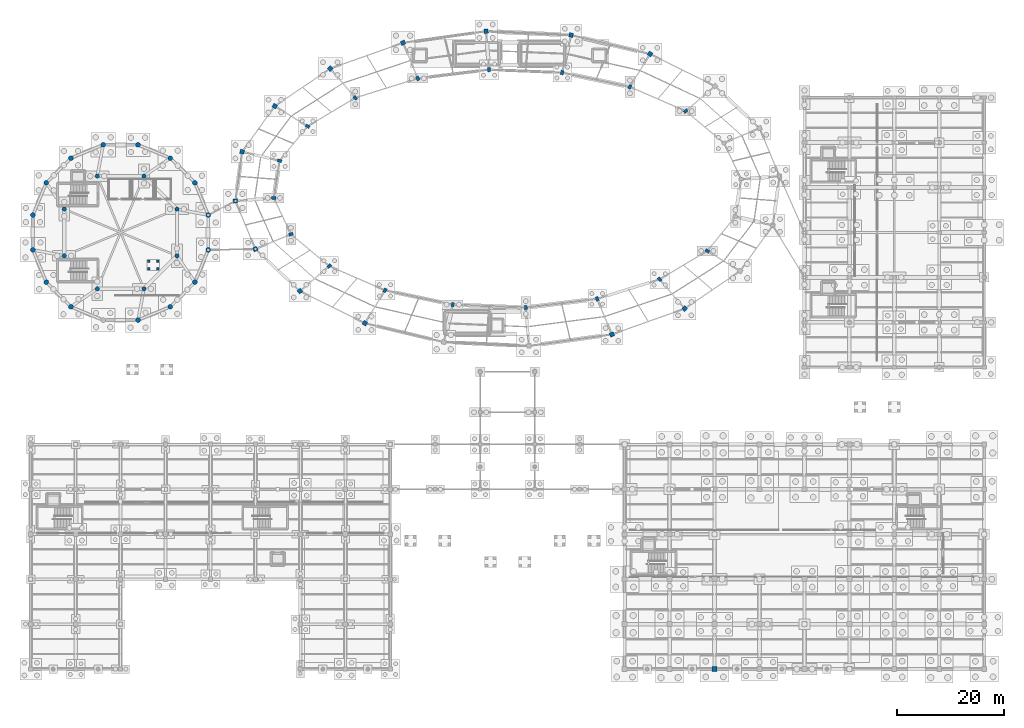
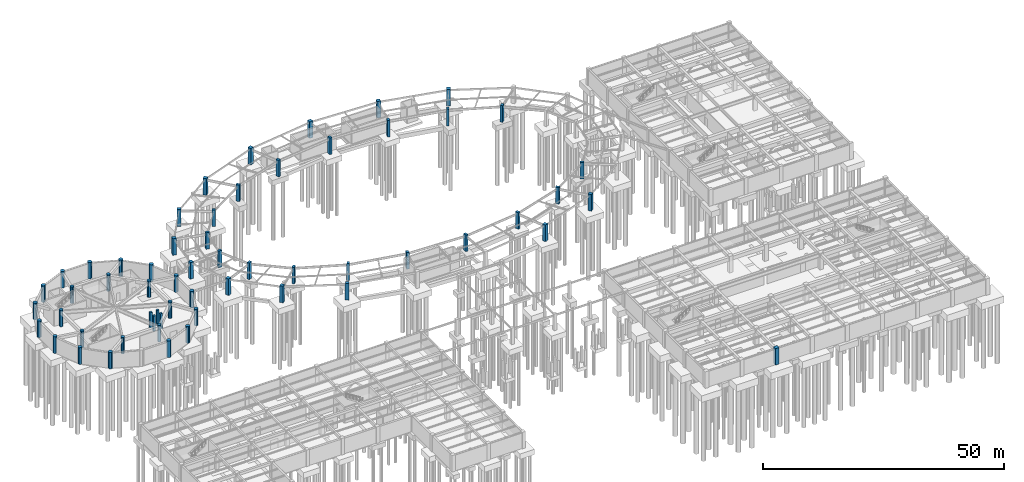
# One storey, part 13 of 38: 58 columns.
"""IFC4 building model written with IfcOpenShell, lengths in metres."""

from ifc_helpers import new_model, si_unit, direction, frame, origin, origin_2d, place, context, subcontext, project, spatial, rectangle, circle, extrude, material, material_profile, profile_set, type_object, element, save


model = new_model("IFC4")

# Units and contexts
model_context = context("Model", 3, precision=1e-05, world=origin(), true_north=direction((0.0, 1.0)))
body_context = subcontext(model_context, "Body", "Model", "MODEL_VIEW")
ifc_project = project(units=[si_unit("LENGTHUNIT", "METRE"), si_unit("AREAUNIT", "SQUARE_METRE"), si_unit("VOLUMEUNIT", "CUBIC_METRE"), si_unit("PLANEANGLEUNIT", "RADIAN"), si_unit("MASSUNIT", "GRAM", prefix="KILO"), si_unit("THERMODYNAMICTEMPERATUREUNIT", "KELVIN"), si_unit("POWERUNIT", "WATT")], contexts=[model_context])

# Site, building, storey
site_placement = place(None, origin())
site = spatial("IfcSite", under=ifc_project, at=site_placement, CompositionType="ELEMENT")
building_placement = place(site_placement, origin())
building = spatial("IfcBuilding", under=site, at=building_placement, Name="Darbajah Civic Hall", CompositionType="ELEMENT")
storey_placement = place(building_placement, frame((0.0, 0.0, -4.199951171875)))
storey = spatial("IfcBuildingStorey", under=building, at=storey_placement, Name="B01", CompositionType="ELEMENT", Elevation=-4.199951171875)

# Columns
ifc_material_1 = material(Name="Concrete C45/55", Category="concrete")
ifc_material_profile_1 = material_profile(ifc_material_1, rectangle(XDim=0.5, YDim=0.5, at=origin_2d()), Name="RC COL 500x500")
ifc_profile_set_1 = profile_set([ifc_material_profile_1], Name="Concrete C45/55")
column_type_1 = type_object("IfcColumnType", Name="RC COL 500x500", PredefinedType="COLUMN", material=ifc_profile_set_1)
for number, where, z_axis, x_axis, name in (
    (1, (22.070068359375, 74.800048828125, 0.0), (0.0, 0.0, 1.0), (1.0, 0.0, 0.0), "B01 dais TOP pier 1"),
    (2, (23.719970703125, 74.800048828125, 0.0), (0.0, 0.0, 1.0), (1.0, 0.0, 0.0), "B01 dais TOP pier 2"),
    (3, (22.070068359375, 76.199951171875, 0.0), (0.0, 0.0, 1.0), (1.0, 0.0, 0.0), "B01 dais TOP pier 3"),
    (4, (23.719970703125, 76.199951171875, 0.0), (0.0, 0.0, 1.0), (1.0, 0.0, 0.0), "B01 dais TOP pier 4"),
):
    element("IfcColumn", number, at=place(storey_placement, frame(where, z_axis=z_axis, x_axis=x_axis)), inside=storey, type_object=column_type_1, Name=name, PredefinedType="COLUMN", context=body_context, shape_type="SweptSolid", body=[
        extrude(rectangle(XDim=0.5, YDim=0.5, at=origin_2d()), origin(), (0.0, 0.0, 1.0), 3.8798828125),
    ])
ifc_material_profile_2 = material_profile(ifc_material_1, rectangle(XDim=0.800048828125, YDim=0.550048828125, at=origin_2d()), Name="RC COL 800x550")
ifc_profile_set_2 = profile_set([ifc_material_profile_2], Name="Concrete C45/55")
column_type_2 = type_object("IfcColumnType", Name="RC COL 800x550", PredefinedType="COLUMN", material=ifc_profile_set_2)
for number, where, z_axis, x_axis, name in (
    (5, (122.40576171875, 104.28271484375, 0.0), (0.0, 0.0, 1.0), (0.7604059656, 0.64944804833, 0.0), "B01 column C-RC805"),
    (6, (111.9853515625, 108.81396484375, 0.0), (0.0, 0.0, 1.0), (0.522498564716, 0.852640164354, 0.0), "B01 column C-RC805"),
    (7, (99.324951171875, 111.48388671875, 0.0), (0.0, 0.0, 1.0), (0.233445363856, 0.972369920398, 0.0), "B01 column C-RC805"),
    (8, (85.66357421875, 112.03125, 0.0), (0.0, 0.0, 1.0), (-0.078459095728, 0.996917333733, 0.0), "B01 column C-RC805"),
    (9, (72.33837890625, 110.402587890625, 0.0), (0.0, 0.0, 1.0), (-0.382683432365, 0.923879532511, 0.0), "B01 column C-RC805"),
    (10, (60.654296875, 106.757080078125, 0.0), (0.0, 0.0, 1.0), (-0.64944804833, 0.7604059656, 0.0), "B01 column C-RC805"),
    (11, (51.75439453125, 101.45166015625, 0.0), (0.0, 0.0, 1.0), (-0.852640164354, 0.522498564716, 0.0), "B01 column C-RC805"),
    (12, (46.51025390625, 95.005859375, 0.0), (0.0, 0.0, 1.0), (-0.972369920398, 0.233445363856, 0.0), "B01 column C-RC805"),
    (13, (45.43505859375, 88.05029296875, 0.0), (0.0, 0.0, 1.0), (-0.996917333733, -0.078459095728, 0.0), "B01 column C-RC805"),
    (14, (48.634033203125, 81.26611328125, 0.0), (0.0, 0.0, 1.0), (-0.923879532511, -0.382683432365, 0.0), "B01 column C-RC805"),
    (15, (55.794189453125, 75.3173828125, 0.0), (0.0, 0.0, 1.0), (-0.7604059656, -0.64944804833, 0.0), "B01 column C-RC805"),
    (16, (66.214599609375, 70.7861328125, 0.0), (0.0, 0.0, 1.0), (-0.522498564716, -0.852640164354, 0.0), "B01 column C-RC805"),
    (17, (78.875, 68.1162109375, 0.0), (0.0, 0.0, 1.0), (-0.233445363856, -0.972369920398, 0.0), "B01 column C-RC805"),
    (18, (92.53662109375, 67.568603515625, 0.0), (0.0, 0.0, 1.0), (0.078459095728, -0.996917333733, 0.0), "B01 column C-RC805"),
    (19, (105.861572265625, 69.197509765625, 0.0), (0.0, 0.0, 1.0), (0.382683432365, -0.923879532511, 0.0), "B01 column C-RC805"),
    (20, (117.5458984375, 72.843017578125, 0.0), (0.0, 0.0, 1.0), (0.64944804833, -0.7604059656, 0.0), "B01 column C-RC805"),
    (21, (126.445556640625, 78.148193359375, 0.0), (0.0, 0.0, 1.0), (0.852640164354, -0.522498564716, 0.0), "B01 column C-RC805"),
):
    element("IfcColumn", number, at=place(storey_placement, frame(where, z_axis=z_axis, x_axis=x_axis)), inside=storey, type_object=column_type_2, Name=name, PredefinedType="COLUMN", context=body_context, shape_type="SweptSolid", body=[
        extrude(rectangle(XDim=0.800048828125, YDim=0.550048828125, at=origin_2d()), origin(), (0.0, 0.0, 1.0), 4.199951171875),
    ])
ifc_material_2 = material(Name="Concrete C50/60", Category="concrete")
ifc_material_profile_3 = material_profile(ifc_material_2, rectangle(XDim=0.800048828125, YDim=0.800048828125, at=origin_2d()), Name="RC COL 800x800")
ifc_profile_set_3 = profile_set([ifc_material_profile_3], Name="Concrete C50/60")
column_type_3 = type_object("IfcColumnType", Name="RC COL 800x800", PredefinedType="COLUMN", material=ifc_profile_set_3)
for number, where, z_axis, x_axis, name in (
    (22, (115.747314453125, 114.952880859375, 0.0), (0.0, 0.0, 1.0), (0.522498564716, 0.852640164354, 0.0), "B01 column C-RC800"),
    (23, (101.005615234375, 118.48486328125, 0.0), (0.0, 0.0, 1.0), (0.233445363856, 0.972369920398, 0.0), "B01 column C-RC800"),
    (24, (85.0986328125, 119.208984375, 0.0), (0.0, 0.0, 1.0), (-0.078459095728, 0.996917333733, 0.0), "B01 column C-RC800"),
    (25, (69.5830078125, 117.054443359375, 0.0), (0.0, 0.0, 1.0), (-0.382683432365, 0.923879532511, 0.0), "B01 column C-RC800"),
    (26, (55.97802734375, 112.23193359375, 0.0), (0.0, 0.0, 1.0), (-0.64944804833, 0.7604059656, 0.0), "B01 column C-RC800"),
    (27, (45.615478515625, 105.213623046875, 0.0), (0.0, 0.0, 1.0), (-0.852640164354, 0.522498564716, 0.0), "B01 column C-RC800"),
    (28, (39.509033203125, 96.6865234375, 0.0), (0.0, 0.0, 1.0), (-0.972369920398, 0.233445363856, 0.0), "B01 column C-RC800"),
    (29, (38.257080078125, 87.485595703125, 0.0), (0.0, 0.0, 1.0), (-0.996917333733, -0.078459095728, 0.0), "B01 column C-RC800"),
    (30, (41.982177734375, 78.5107421875, 0.0), (0.0, 0.0, 1.0), (-0.923879532511, -0.382683432365, 0.0), "B01 column C-RC800"),
    (31, (50.3193359375, 70.641357421875, 0.0), (0.0, 0.0, 1.0), (-0.7604059656, -0.64944804833, 0.0), "B01 column C-RC800"),
    (32, (62.45263671875, 64.647216796875, 0.0), (0.0, 0.0, 1.0), (-0.522498564716, -0.852640164354, 0.0), "B01 column C-RC800"),
    (33, (108.616943359375, 62.545654296875, 0.0), (0.0, 0.0, 1.0), (0.382683432365, -0.923879532511, 0.0), "B01 column C-RC800"),
    (34, (122.221923828125, 67.367919921875, 0.0), (0.0, 0.0, 1.0), (0.64944804833, -0.7604059656, 0.0), "B01 column C-RC800"),
):
    element("IfcColumn", number, at=place(storey_placement, frame(where, z_axis=z_axis, x_axis=x_axis)), inside=storey, type_object=column_type_3, Name=name, PredefinedType="COLUMN", context=body_context, shape_type="SweptSolid", body=[
        extrude(rectangle(XDim=0.800048828125, YDim=0.800048828125, at=origin_2d()), origin(), (0.0, 0.0, 1.0), 4.199951171875),
    ])
ifc_material_profile_4 = material_profile(ifc_material_2, rectangle(XDim=0.89990234375, YDim=0.89990234375, at=origin_2d()), Name="RC COL 900x900")
ifc_profile_set_4 = profile_set([ifc_material_profile_4], Name="Concrete C50/60")
column_type_4 = type_object("IfcColumnType", Name="RC COL 900x900", PredefinedType="COLUMN", material=ifc_profile_set_4)
column_placement = place(storey_placement, frame((127.800048828125, 0.0, 0.0), z_axis=(0.0, 0.0, 1.0), x_axis=(1.0, 0.0, 0.0)))
element("IfcColumn", 35, at=column_placement, inside=storey, type_object=column_type_4, Name="B01 column C-RC900", PredefinedType="COLUMN", context=body_context, shape_type="SweptSolid", body=[
    extrude(rectangle(XDim=0.89990234375, YDim=0.89990234375, at=origin_2d()), origin(), (0.0, 0.0, 1.0), 4.199951171875),
])
ifc_material_profile_5 = material_profile(ifc_material_2, circle(Radius=0.39990234375, at=origin_2d()), Name="RC COL D800")
ifc_profile_set_5 = profile_set([ifc_material_profile_5], Name="Concrete C50/60")
column_type_5 = type_object("IfcColumnType", Name="RC COL D800", PredefinedType="COLUMN", material=ifc_profile_set_5)
for number, where, z_axis, x_axis, name in (
    (36, (27.332275390625, 85.962646484375, 0.0), (0.0, 0.0, 1.0), (1.0, 0.0, 0.0), "B01 column C-RCD800"),
    (37, (21.16259765625, 92.132080078125, 0.0), (0.0, 0.0, 1.0), (1.0, 0.0, 0.0), "B01 column C-RCD800"),
    (38, (12.4375, 92.132080078125, 0.0), (0.0, 0.0, 1.0), (1.0, 0.0, 0.0), "B01 column C-RCD800"),
    (39, (6.267822265625, 85.962646484375, 0.0), (0.0, 0.0, 1.0), (1.0, 0.0, 0.0), "B01 column C-RCD800"),
    (40, (6.267822265625, 77.2373046875, 0.0), (0.0, 0.0, 1.0), (1.0, 0.0, 0.0), "B01 column C-RCD800"),
    (41, (12.4375, 71.06787109375, 0.0), (0.0, 0.0, 1.0), (1.0, 0.0, 0.0), "B01 column C-RCD800"),
    (42, (21.16259765625, 71.06787109375, 0.0), (0.0, 0.0, 1.0), (1.0, 0.0, 0.0), "B01 column C-RCD800"),
    (43, (27.332275390625, 77.2373046875, 0.0), (0.0, 0.0, 1.0), (1.0, 0.0, 0.0), "B01 column C-RCD800"),
):
    element("IfcColumn", number, at=place(storey_placement, frame(where, z_axis=z_axis, x_axis=x_axis)), inside=storey, type_object=column_type_5, Name=name, PredefinedType="COLUMN", context=body_context, shape_type="SweptSolid", body=[
        extrude(circle(Radius=0.39990234375, at=origin_2d()), origin(), (0.0, 0.0, 1.0), 4.199951171875),
    ])
ifc_material_profile_6 = material_profile(ifc_material_2, circle(Radius=0.449951171875, at=origin_2d()), Name="RC COL D900")
ifc_profile_set_6 = profile_set([ifc_material_profile_6], Name="Concrete C50/60")
column_type_6 = type_object("IfcColumnType", Name="RC COL D900", PredefinedType="COLUMN", material=ifc_profile_set_6)
for number, where, z_axis, x_axis, name in (
    (44, (33.179931640625, 84.858154296875, 0.0), (0.0, 0.0, 1.0), (1.0, 0.0, 0.0), "B01 column C-RCD900"),
    (45, (30.686279296875, 90.87841796875, 0.0), (0.0, 0.0, 1.0), (1.0, 0.0, 0.0), "B01 column C-RCD900"),
    (46, (26.07861328125, 95.486328125, 0.0), (0.0, 0.0, 1.0), (1.0, 0.0, 0.0), "B01 column C-RCD900"),
    (47, (20.05810546875, 97.97998046875, 0.0), (0.0, 0.0, 1.0), (1.0, 0.0, 0.0), "B01 column C-RCD900"),
    (48, (13.541748046875, 97.97998046875, 0.0), (0.0, 0.0, 1.0), (1.0, 0.0, 0.0), "B01 column C-RCD900"),
    (49, (7.521484375, 95.486328125, 0.0), (0.0, 0.0, 1.0), (1.0, 0.0, 0.0), "B01 column C-RCD900"),
    (50, (2.913818359375, 90.87841796875, 0.0), (0.0, 0.0, 1.0), (1.0, 0.0, 0.0), "B01 column C-RCD900"),
    (51, (0.419921875, 84.858154296875, 0.0), (0.0, 0.0, 1.0), (1.0, 0.0, 0.0), "B01 column C-RCD900"),
    (52, (0.419921875, 78.341796875, 0.0), (0.0, 0.0, 1.0), (1.0, 0.0, 0.0), "B01 column C-RCD900"),
    (53, (2.913818359375, 72.321533203125, 0.0), (0.0, 0.0, 1.0), (1.0, 0.0, 0.0), "B01 column C-RCD900"),
    (54, (7.521484375, 67.713623046875, 0.0), (0.0, 0.0, 1.0), (1.0, 0.0, 0.0), "B01 column C-RCD900"),
    (55, (20.05810546875, 65.219970703125, 0.0), (0.0, 0.0, 1.0), (1.0, 0.0, 0.0), "B01 column C-RCD900"),
    (56, (26.07861328125, 67.713623046875, 0.0), (0.0, 0.0, 1.0), (1.0, 0.0, 0.0), "B01 column C-RCD900"),
    (57, (30.686279296875, 72.321533203125, 0.0), (0.0, 0.0, 1.0), (1.0, 0.0, 0.0), "B01 column C-RCD900"),
    (58, (33.179931640625, 78.341796875, 0.0), (0.0, 0.0, 1.0), (1.0, 0.0, 0.0), "B01 column C-RCD900"),
):
    element("IfcColumn", number, at=place(storey_placement, frame(where, z_axis=z_axis, x_axis=x_axis)), inside=storey, type_object=column_type_6, Name=name, PredefinedType="COLUMN", context=body_context, shape_type="SweptSolid", body=[
        extrude(circle(Radius=0.449951171875, at=origin_2d()), origin(), (0.0, 0.0, 1.0), 4.199951171875),
    ])

save(model, "model.ifc")
